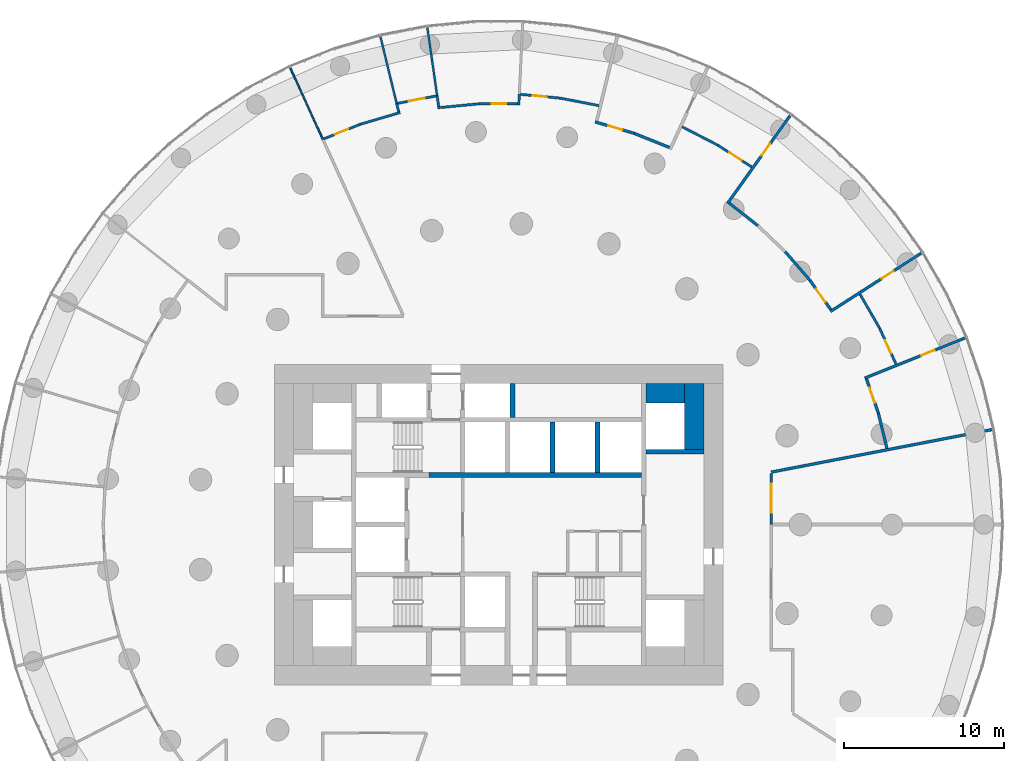
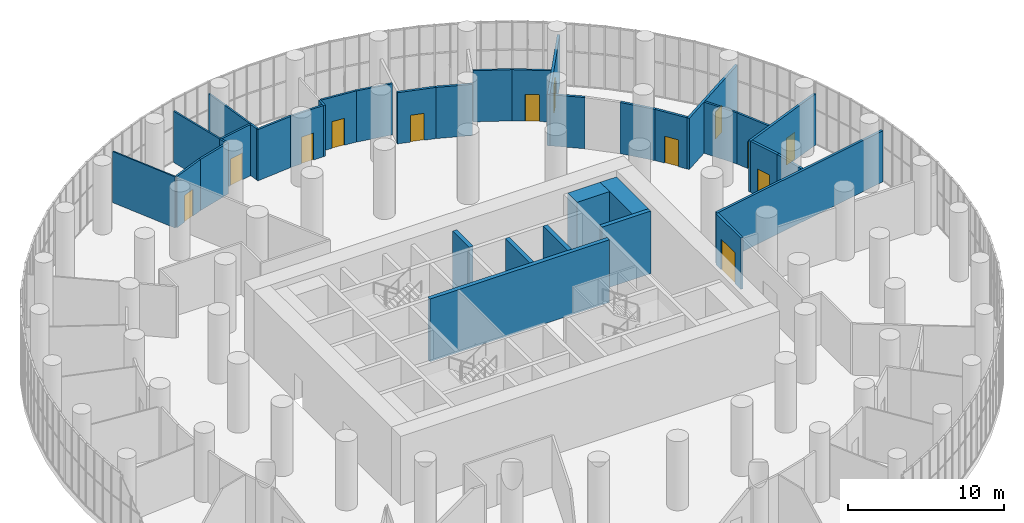
# One storey, part 24 of 27: 36 walls, 13 doors, 13 openings.
"""IFC4 building model written with IfcOpenShell, lengths in metres."""

from ifc_helpers import new_model, si_unit, direction, frame, frame_2d, origin, place, context, subcontext, project, spatial, rectangle, extrude, material, layer, layer_set, type_object, element, fill, save


model = new_model("IFC4")

# Units and contexts
model_context = context("Model", 3, precision=1e-05, world=origin(), true_north=direction((0.0, 1.0)))
body_context = subcontext(model_context, "Body", "Model", "MODEL_VIEW")
ifc_project = project(units=[si_unit("LENGTHUNIT", "METRE"), si_unit("AREAUNIT", "SQUARE_METRE"), si_unit("VOLUMEUNIT", "CUBIC_METRE"), si_unit("PLANEANGLEUNIT", "RADIAN"), si_unit("MASSUNIT", "GRAM", prefix="KILO")], contexts=[model_context])

# Site, building, storey
site_placement = place(None, origin())
site = spatial("IfcSite", under=ifc_project, at=site_placement, CompositionType="ELEMENT")
building_placement = place(site_placement, origin())
building = spatial("IfcBuilding", under=site, at=building_placement, Name="Tracery Tower", CompositionType="ELEMENT")
storey_placement = place(building_placement, frame((0.0, 0.0, 114.60009765625)))
storey = spatial("IfcBuildingStorey", under=building, at=storey_placement, Name="L29", CompositionType="ELEMENT", Elevation=114.60009765625)

# Wall, opening, door
ifc_material_1 = material(Name="Plasterboard on steel studs", Category="steel")
ifc_layer_1 = layer(ifc_material_1, 0.175048828125)
ifc_layer_set_1 = layer_set([ifc_layer_1], Name="Compartment partition 175")
wall_type_1 = type_object("IfcWallType", Name="Compartment partition 175", PredefinedType="PARTITIONING", material=ifc_layer_set_1)
wall_1_placement = place(storey_placement, frame((6.007568359375, 25.134521484375, 0.0), z_axis=(0.0, 0.0, 1.0), x_axis=(0.959475355364, -0.281792552155, 0.0)))
wall_1 = element("IfcWall", 1, at=wall_1_placement, inside=storey, type_object=wall_type_1, Name="Compartment partition 175", PredefinedType="PARTITIONING", context=body_context, shape_type="SweptSolid", body=[
    extrude(rectangle(XDim=2.54638671875, YDim=0.175048828125, at=frame_2d((1.273193359375, 0.0))), origin(), (0.0, 0.0, 1.0), 4.0),
])
opening_1_placement = place(wall_1_placement, frame((0.866943359375, 0.0, 0.0)))
opening_1 = element("IfcOpeningElement", 2, at=opening_1_placement, cuts=wall_1, Name="Opening SB-L29-10", PredefinedType="OPENING", context=body_context, shape_type="SweptSolid", body=[
    extrude(rectangle(XDim=0.89990234375, YDim=2.10009765625, at=frame_2d((0.449951171875, 1.050048828125))), frame((0.0, 0.08740234375, 0.0), z_axis=(0.0, -1.0, 0.0), x_axis=(1.0, 0.0, 0.0)), (0.0, 0.0, 1.0), 0.175048828125),
])
ifc_material_2 = material(Name="Steel fire door", Category="steel")
door_type_1 = type_object("IfcDoorType", Name="Store door 900", OperationType="NOTDEFINED", PredefinedType="DOOR", material=ifc_material_2)
door_1_placement = place(opening_1_placement, origin())
door_1 = element("IfcDoor", 3, at=door_1_placement, inside=storey, type_object=door_type_1, Name="Store door 900", OperationType="SINGLE_SWING_RIGHT", OverallHeight=2.10009765625, OverallWidth=0.89990234375, PredefinedType="DOOR", context=body_context, shape_type="SweptSolid", body=[
    extrude(rectangle(XDim=0.89990234375, YDim=2.10009765625, at=frame_2d((0.449951171875, 1.050048828125))), frame((0.0, 0.02490234375, 0.0), z_axis=(0.0, -1.0, 0.0), x_axis=(1.0, 0.0, 0.0)), (0.0, 0.0, 1.0), 0.050048828125),
])
fill(opening_1, door_1)

# Walls
wall_2_placement = place(storey_placement, frame((10.65234375, 23.53564453125, 0.0), z_axis=(0.0, 0.0, 1.0), x_axis=(-0.928377260399, 0.371639156137, 0.0)))
element("IfcWall", 4, at=wall_2_placement, inside=storey, type_object=wall_type_1, Name="Compartment partition 175", PredefinedType="PARTITIONING", context=body_context, shape_type="SweptSolid", body=[
    extrude(rectangle(XDim=2.37158203125, YDim=0.175048828125, at=frame_2d((1.185791015625, 0.0))), origin(), (0.0, 0.0, 1.0), 4.0),
])
wall_3_placement = place(storey_placement, frame((16.16650390625, 18.656982421875, 0.0), z_axis=(0.0, 0.0, 1.0), x_axis=(-0.786033588145, 0.618183790072, 0.0)))
element("IfcWall", 5, at=wall_3_placement, inside=storey, type_object=wall_type_1, Name="Compartment partition 175", PredefinedType="PARTITIONING", context=body_context, shape_type="SweptSolid", body=[
    extrude(rectangle(XDim=2.26171875, YDim=0.175048828125, at=frame_2d((1.130859375, 0.0))), origin(), (0.0, 0.0, 1.0), 4.0),
])

# Wall, opening, door
wall_4_placement = place(storey_placement, frame((17.0, 3.1875, 0.0), z_axis=(0.0, 0.0, 1.0), x_axis=(0.0, -1.0, 0.0)))
wall_4 = element("IfcWall", 6, at=wall_4_placement, inside=storey, type_object=wall_type_1, Name="Compartment partition 175", PredefinedType="PARTITIONING", context=body_context, shape_type="SweptSolid", body=[
    extrude(rectangle(XDim=3.1875, YDim=0.175048828125, at=frame_2d((1.59375, 0.0))), origin(), (0.0, 0.0, 1.0), 4.0),
])
opening_2_placement = place(wall_4_placement, frame((0.649169921875, 0.0, 0.0)))
opening_2 = element("IfcOpeningElement", 7, at=opening_2_placement, cuts=wall_4, Name="Opening SB-L29-01", PredefinedType="OPENING", context=body_context, shape_type="SweptSolid", body=[
    extrude(rectangle(XDim=1.800048828125, YDim=2.39990234375, at=frame_2d((0.89990234375, 1.199951171875))), frame((0.0, 0.08740234375, 0.0), z_axis=(0.0, -1.0, 0.0), x_axis=(1.0, 0.0, 0.0)), (0.0, 0.0, 1.0), 0.175048828125),
])
ifc_material_3 = material(Name="Glazed aluminium door", Category="aluminium")
door_type_2 = type_object("IfcDoorType", Name="Hall double door 1800", OperationType="DOUBLE_DOOR_SINGLE_SWING", PredefinedType="DOOR", material=ifc_material_3)
door_2_placement = place(opening_2_placement, origin())
door_2 = element("IfcDoor", 8, at=door_2_placement, inside=storey, type_object=door_type_2, Name="Hall double door 1800", OperationType="DOUBLE_DOOR_SINGLE_SWING", OverallHeight=2.39990234375, OverallWidth=1.800048828125, PredefinedType="DOOR", context=body_context, shape_type="SweptSolid", body=[
    extrude(rectangle(XDim=1.800048828125, YDim=2.39990234375, at=frame_2d((0.89990234375, 1.199951171875))), frame((0.0, 0.02490234375, 0.0), z_axis=(0.0, -1.0, 0.0), x_axis=(1.0, 0.0, 0.0)), (0.0, 0.0, 1.0), 0.050048828125),
])
fill(opening_2, door_2)

wall_5_placement = place(storey_placement, frame((14.26904296875, 20.0380859375, 0.0), z_axis=(0.0, 0.0, 1.0), x_axis=(0.580039185879, 0.814588572744, 0.0)))
wall_5 = element("IfcWall", 9, at=wall_5_placement, inside=storey, type_object=wall_type_1, Name="Compartment partition 175", PredefinedType="PARTITIONING", context=body_context, shape_type="SweptSolid", body=[
    extrude(rectangle(XDim=6.744873046875, YDim=0.175048828125, at=frame_2d((3.37255859375, 0.0))), origin(), (0.0, 0.0, 1.0), 4.0),
])
opening_3_placement = place(wall_5_placement, frame((3.69287109375, 0.0, 0.0)))
opening_3 = element("IfcOpeningElement", 10, at=opening_3_placement, cuts=wall_5, Name="Opening SB-L29-07", PredefinedType="OPENING", context=body_context, shape_type="SweptSolid", body=[
    extrude(rectangle(XDim=0.89990234375, YDim=2.10009765625, at=frame_2d((0.449951171875, 1.050048828125))), frame((0.0, 0.08740234375, 0.0), z_axis=(0.0, -1.0, 0.0), x_axis=(1.0, 0.0, 0.0)), (0.0, 0.0, 1.0), 0.175048828125),
])
door_3_placement = place(opening_3_placement, origin())
door_3 = element("IfcDoor", 11, at=door_3_placement, inside=storey, type_object=door_type_1, Name="Store door 900", OperationType="SINGLE_SWING_RIGHT", OverallHeight=2.10009765625, OverallWidth=0.89990234375, PredefinedType="DOOR", context=body_context, shape_type="SweptSolid", body=[
    extrude(rectangle(XDim=0.89990234375, YDim=2.10009765625, at=frame_2d((0.449951171875, 1.050048828125))), frame((0.0, 0.02490234375, 0.0), z_axis=(0.0, -1.0, 0.0), x_axis=(1.0, 0.0, 0.0)), (0.0, 0.0, 1.0), 0.050048828125),
])
fill(opening_3, door_3)

# Wall
wall_6_placement = place(storey_placement, frame((19.4052734375, 15.260498046875, 0.0), z_axis=(0.0, 0.0, 1.0), x_axis=(-0.654906799916, 0.755709655505, 0.0)))
element("IfcWall", 12, at=wall_6_placement, inside=storey, type_object=wall_type_1, Name="Compartment partition 175", PredefinedType="PARTITIONING", context=body_context, shape_type="SweptSolid", body=[
    extrude(rectangle(XDim=2.349365234375, YDim=0.175048828125, at=frame_2d((1.1748046875, 0.0))), origin(), (0.0, 0.0, 1.0), 4.0),
])

# Wall, opening, door
wall_7_placement = place(storey_placement, frame((19.4052734375, 15.260498046875, 0.0), z_axis=(0.0, 0.0, 1.0), x_axis=(0.579971361842, -0.814636863543, 0.0)))
wall_7 = element("IfcWall", 13, at=wall_7_placement, inside=storey, type_object=wall_type_1, Name="Compartment partition 175", PredefinedType="PARTITIONING", context=body_context, shape_type="SweptSolid", body=[
    extrude(rectangle(XDim=2.26171875, YDim=0.175048828125, at=frame_2d((1.130859375, 0.0))), origin(), (0.0, 0.0, 1.0), 4.0),
])
opening_4_placement = place(wall_7_placement, frame((0.674560546875, 0.0, 0.0)))
opening_4 = element("IfcOpeningElement", 14, at=opening_4_placement, cuts=wall_7, Name="Opening SB-L29-04", PredefinedType="OPENING", context=body_context, shape_type="SweptSolid", body=[
    extrude(rectangle(XDim=1.0, YDim=2.10009765625, at=frame_2d((0.5, 1.050048828125))), frame((0.0, 0.08740234375, 0.0), z_axis=(0.0, -1.0, 0.0), x_axis=(1.0, 0.0, 0.0)), (0.0, 0.0, 1.0), 0.175048828125),
])
ifc_material_4 = material(Name="Steel fire door", Category="steel")
door_type_3 = type_object("IfcDoorType", Name="Kitchen door 1000", OperationType="NOTDEFINED", PredefinedType="DOOR", material=ifc_material_4)
door_4_placement = place(opening_4_placement, origin())
door_4 = element("IfcDoor", 15, at=door_4_placement, inside=storey, type_object=door_type_3, Name="Kitchen door 1000", OperationType="SINGLE_SWING_RIGHT", OverallHeight=2.10009765625, OverallWidth=1.0, PredefinedType="DOOR", context=body_context, shape_type="SweptSolid", body=[
    extrude(rectangle(XDim=1.0, YDim=2.10009765625, at=frame_2d((0.5, 1.050048828125))), frame((0.0, 0.02490234375, 0.0), z_axis=(0.0, -1.0, 0.0), x_axis=(1.0, 0.0, 0.0)), (0.0, 0.0, 1.0), 0.050048828125),
])
fill(opening_4, door_4)

wall_8_placement = place(storey_placement, frame((22.947021484375, 9.092529296875, 0.0), z_axis=(0.0, 0.0, 1.0), x_axis=(0.327151342236, -0.944971956871, 0.0)))
wall_8 = element("IfcWall", 16, at=wall_8_placement, inside=storey, type_object=wall_type_1, Name="Compartment partition 175", PredefinedType="PARTITIONING", context=body_context, shape_type="SweptSolid", body=[
    extrude(rectangle(XDim=2.261962890625, YDim=0.175048828125, at=frame_2d((1.130859375, 0.0))), origin(), (0.0, 0.0, 1.0), 4.0),
])
opening_5_placement = place(wall_8_placement, frame((0.587158203125, 0.0, 0.0)))
opening_5 = element("IfcOpeningElement", 17, at=opening_5_placement, cuts=wall_8, Name="Opening SB-L29-02", PredefinedType="OPENING", context=body_context, shape_type="SweptSolid", body=[
    extrude(rectangle(XDim=1.0, YDim=2.10009765625, at=frame_2d((0.5, 1.050048828125))), frame((0.0, 0.08740234375, 0.0), z_axis=(0.0, -1.0, 0.0), x_axis=(1.0, 0.0, 0.0)), (0.0, 0.0, 1.0), 0.175048828125),
])
ifc_material_5 = material(Name="Timber door leaf", Category="wood")
door_type_4 = type_object("IfcDoorType", Name="Public room door 1000", OperationType="NOTDEFINED", PredefinedType="DOOR", material=ifc_material_5)
door_5_placement = place(opening_5_placement, origin())
door_5 = element("IfcDoor", 18, at=door_5_placement, inside=storey, type_object=door_type_4, Name="Public room door 1000", OperationType="SINGLE_SWING_RIGHT", OverallHeight=2.10009765625, OverallWidth=1.0, PredefinedType="DOOR", context=body_context, shape_type="SweptSolid", body=[
    extrude(rectangle(XDim=1.0, YDim=2.10009765625, at=frame_2d((0.5, 1.050048828125))), frame((0.0, 0.02490234375, 0.0), z_axis=(0.0, -1.0, 0.0), x_axis=(1.0, 0.0, 0.0)), (0.0, 0.0, 1.0), 0.050048828125),
])
fill(opening_5, door_5)

# Wall
wall_9_placement = place(storey_placement, frame((24.219482421875, 4.75927734375, 0.0), z_axis=(0.0, 0.0, 1.0), x_axis=(-0.235664969732, 0.971834359364, 0.0)))
element("IfcWall", 19, at=wall_9_placement, inside=storey, type_object=wall_type_1, Name="Compartment partition 175", PredefinedType="PARTITIONING", context=body_context, shape_type="SweptSolid", body=[
    extrude(rectangle(XDim=2.259521484375, YDim=0.175048828125, at=frame_2d((1.1298828125, 0.0))), origin(), (0.0, 0.0, 1.0), 4.0),
])

# Wall, opening, door
wall_10_placement = place(storey_placement, frame((26.36865234375, 16.946044921875, 0.0), z_axis=(0.0, 0.0, 1.0), x_axis=(-0.841249029271, -0.540647825068, 0.0)))
wall_10 = element("IfcWall", 20, at=wall_10_placement, inside=storey, type_object=wall_type_1, Name="Compartment partition 175", PredefinedType="PARTITIONING", context=body_context, shape_type="SweptSolid", body=[
    extrude(rectangle(XDim=6.7451171875, YDim=0.175048828125, at=frame_2d((3.37255859375, 0.0))), origin(), (0.0, 0.0, 1.0), 4.0),
])
opening_6_placement = place(wall_10_placement, frame((2.052490234375, 0.0, 0.0)))
opening_6 = element("IfcOpeningElement", 21, at=opening_6_placement, cuts=wall_10, Name="Opening SB-L29-06", PredefinedType="OPENING", context=body_context, shape_type="SweptSolid", body=[
    extrude(rectangle(XDim=0.89990234375, YDim=2.10009765625, at=frame_2d((0.449951171875, 1.050048828125))), frame((0.0, 0.08740234375, 0.0), z_axis=(0.0, -1.0, 0.0), x_axis=(1.0, 0.0, 0.0)), (0.0, 0.0, 1.0), 0.175048828125),
])
door_6_placement = place(opening_6_placement, origin())
door_6 = element("IfcDoor", 22, at=door_6_placement, inside=storey, type_object=door_type_1, Name="Store door 900", OperationType="SINGLE_SWING_LEFT", OverallHeight=2.10009765625, OverallWidth=0.89990234375, PredefinedType="DOOR", context=body_context, shape_type="SweptSolid", body=[
    extrude(rectangle(XDim=0.89990234375, YDim=2.10009765625, at=frame_2d((0.449951171875, 1.050048828125))), frame((0.0, 0.02490234375, 0.0), z_axis=(0.0, -1.0, 0.0), x_axis=(1.0, 0.0, 0.0)), (0.0, 0.0, 1.0), 0.050048828125),
])
fill(opening_6, door_6)

wall_11_placement = place(storey_placement, frame((29.09912109375, 11.6494140625, 0.0), z_axis=(0.0, 0.0, 1.0), x_axis=(-0.928366812746, -0.371665253949, 0.0)))
wall_11 = element("IfcWall", 23, at=wall_11_placement, inside=storey, type_object=wall_type_1, Name="Compartment partition 175", PredefinedType="PARTITIONING", context=body_context, shape_type="SweptSolid", body=[
    extrude(rectangle(XDim=6.744873046875, YDim=0.175048828125, at=frame_2d((3.37255859375, 0.0))), origin(), (0.0, 0.0, 1.0), 4.0),
])
opening_7_placement = place(wall_11_placement, frame((2.052490234375, 0.0, 0.0)))
opening_7 = element("IfcOpeningElement", 24, at=opening_7_placement, cuts=wall_11, Name="Opening SB-L29-05", PredefinedType="OPENING", context=body_context, shape_type="SweptSolid", body=[
    extrude(rectangle(XDim=0.89990234375, YDim=2.10009765625, at=frame_2d((0.449951171875, 1.050048828125))), frame((0.0, 0.08740234375, 0.0), z_axis=(0.0, -1.0, 0.0), x_axis=(1.0, 0.0, 0.0)), (0.0, 0.0, 1.0), 0.175048828125),
])
door_7_placement = place(opening_7_placement, origin())
door_7 = element("IfcDoor", 25, at=door_7_placement, inside=storey, type_object=door_type_1, Name="Store door 900", OperationType="SINGLE_SWING_LEFT", OverallHeight=2.10009765625, OverallWidth=0.89990234375, PredefinedType="DOOR", context=body_context, shape_type="SweptSolid", body=[
    extrude(rectangle(XDim=0.89990234375, YDim=2.10009765625, at=frame_2d((0.449951171875, 1.050048828125))), frame((0.0, 0.02490234375, 0.0), z_axis=(0.0, -1.0, 0.0), x_axis=(1.0, 0.0, 0.0)), (0.0, 0.0, 1.0), 0.050048828125),
])
fill(opening_7, door_7)

# Walls
wall_12_placement = place(storey_placement, frame((30.778076171875, 5.931884765625, 0.0), z_axis=(0.0, 0.0, 1.0), x_axis=(-0.981931784058, -0.189235227845, 0.0)))
element("IfcWall", 26, at=wall_12_placement, inside=storey, type_object=wall_type_1, Name="Compartment partition 175", PredefinedType="PARTITIONING", context=body_context, shape_type="SweptSolid", body=[
    extrude(rectangle(XDim=14.031494140625, YDim=0.175048828125, at=frame_2d((7.015625, 0.0))), origin(), (0.0, 0.0, 1.0), 4.0),
])
ifc_material_6 = material(Name="Concrete C60/75", Category="concrete")
ifc_layer_2 = layer(ifc_material_6, 1.199951171875)
ifc_layer_set_2 = layer_set([ifc_layer_2], Name="Core strip wall 1200 C60")
wall_type_2 = type_object("IfcWallType", Name="Core strip wall 1200 C60", PredefinedType="SOLIDWALL", material=ifc_layer_set_2)
wall_13_placement = place(storey_placement, frame((12.199951171875, 4.699951171875, 0.0), z_axis=(0.0, 0.0, 1.0), x_axis=(0.0, 1.0, 0.0)))
element("IfcWall", 27, at=wall_13_placement, inside=storey, type_object=wall_type_2, Name="L29 wing strip +1 4.55", PredefinedType="SOLIDWALL", context=body_context, shape_type="SweptSolid", body=[
    extrude(rectangle(XDim=4.10009765625, YDim=1.199951171875, at=frame_2d((2.050048828125, 0.0))), origin(), (0.0, 0.0, 1.0), 4.89990234375),
])
wall_14_placement = place(storey_placement, frame((9.199951171875, 8.199951171875, 0.0), z_axis=(0.0, 0.0, 1.0), x_axis=(1.0, 0.0, 0.0)))
element("IfcWall", 28, at=wall_14_placement, inside=storey, type_object=wall_type_2, Name="L29 wing corner +1 +8.2", PredefinedType="SOLIDWALL", context=body_context, shape_type="SweptSolid", body=[
    extrude(rectangle(XDim=2.400146484375, YDim=1.199951171875, at=frame_2d((1.2001953125, 0.0))), origin(), (0.0, 0.0, 1.0), 4.89990234375),
])

# Wall, opening, door
ifc_material_7 = material(Name="Plasterboard on steel studs", Category="steel")
ifc_layer_3 = layer(ifc_material_7, 0.14990234375)
ifc_layer_set_3 = layer_set([ifc_layer_3], Name="Corridor partition 150")
wall_type_3 = type_object("IfcWallType", Name="Corridor partition 150", PredefinedType="PARTITIONING", material=ifc_layer_set_3)
wall_15_placement = place(storey_placement, frame((-10.913330078125, 24.077392578125, 0.0), z_axis=(0.0, 0.0, 1.0), x_axis=(0.928366285294, 0.371666571445, 0.0)))
wall_15 = element("IfcWall", 29, at=wall_15_placement, inside=storey, type_object=wall_type_3, Name="Corridor partition 150", PredefinedType="PARTITIONING", context=body_context, shape_type="SweptSolid", body=[
    extrude(rectangle(XDim=2.44091796875, YDim=0.14990234375, at=frame_2d((1.220458984375, 0.0))), origin(), (0.0, 0.0, 1.0), 4.0),
])
opening_8_placement = place(wall_15_placement, frame((0.73291015625, 0.0, 0.0)))
opening_8 = element("IfcOpeningElement", 30, at=opening_8_placement, cuts=wall_15, Name="Opening SB-L29-14", PredefinedType="OPENING", context=body_context, shape_type="SweptSolid", body=[
    extrude(rectangle(XDim=0.89990234375, YDim=2.10009765625, at=frame_2d((0.449951171875, 1.050048828125))), frame((0.0, 0.074951171875, 0.0), z_axis=(0.0, -1.0, 0.0), x_axis=(1.0, 0.0, 0.0)), (0.0, 0.0, 1.0), 0.14990234375),
])
door_8_placement = place(opening_8_placement, origin())
door_8 = element("IfcDoor", 31, at=door_8_placement, inside=storey, type_object=door_type_1, Name="Store door 900", OperationType="SINGLE_SWING_RIGHT", OverallHeight=2.10009765625, OverallWidth=0.89990234375, PredefinedType="DOOR", context=body_context, shape_type="SweptSolid", body=[
    extrude(rectangle(XDim=0.89990234375, YDim=2.10009765625, at=frame_2d((0.449951171875, 1.050048828125))), frame((0.0, 0.02490234375, 0.0), z_axis=(0.0, -1.0, 0.0), x_axis=(1.0, 0.0, 0.0)), (0.0, 0.0, 1.0), 0.050048828125),
])
fill(opening_8, door_8)

# Walls
wall_16_placement = place(storey_placement, frame((-6.374755859375, 26.27734375, 0.0), z_axis=(0.0, 0.0, 1.0), x_axis=(0.235533543779, -0.971866220091, 0.0)))
element("IfcWall", 32, at=wall_16_placement, inside=storey, type_object=wall_type_3, Name="Corridor partition 150", PredefinedType="PARTITIONING", context=body_context, shape_type="SweptSolid", body=[
    extrude(rectangle(XDim=0.525634765625, YDim=0.14990234375, at=frame_2d((0.2626953125, 0.0))), origin(), (0.0, 0.0, 1.0), 4.0),
])
wall_17_placement = place(storey_placement, frame((-6.1611328125, 25.714599609375, 0.0), z_axis=(0.0, 0.0, 1.0), x_axis=(-0.959492937384, -0.28173268023, 0.0)))
element("IfcWall", 33, at=wall_17_placement, inside=storey, type_object=wall_type_3, Name="Corridor partition 150", PredefinedType="PARTITIONING", context=body_context, shape_type="SweptSolid", body=[
    extrude(rectangle(XDim=2.591064453125, YDim=0.14990234375, at=frame_2d((1.29541015625, 0.0))), origin(), (0.0, 0.0, 1.0), 4.0),
])

# Wall, opening, door
wall_18_placement = place(storey_placement, frame((-6.301025390625, 26.29150390625, 0.0), z_axis=(0.0, 0.0, 1.0), x_axis=(0.981932344741, 0.189232318463, 0.0)))
wall_18 = element("IfcWall", 34, at=wall_18_placement, inside=storey, type_object=wall_type_3, Name="Corridor partition 150", PredefinedType="PARTITIONING", context=body_context, shape_type="SweptSolid", body=[
    extrude(rectangle(XDim=2.4228515625, YDim=0.14990234375, at=frame_2d((1.21142578125, 0.0))), origin(), (0.0, 0.0, 1.0), 4.0),
])
opening_9_placement = place(wall_18_placement, frame((0.71142578125, 0.0, 0.0)))
opening_9 = element("IfcOpeningElement", 35, at=opening_9_placement, cuts=wall_18, Name="Opening SB-L29-13", PredefinedType="OPENING", context=body_context, shape_type="SweptSolid", body=[
    extrude(rectangle(XDim=1.0, YDim=2.10009765625, at=frame_2d((0.5, 1.050048828125))), frame((0.0, 0.074951171875, 0.0), z_axis=(0.0, -1.0, 0.0), x_axis=(1.0, 0.0, 0.0)), (0.0, 0.0, 1.0), 0.14990234375),
])
ifc_material_8 = material(Name="Timber door leaf", Category="wood")
door_type_5 = type_object("IfcDoorType", Name="Accessible toilet door 1000", OperationType="NOTDEFINED", PredefinedType="DOOR", material=ifc_material_8)
door_9_placement = place(opening_9_placement, origin())
door_9 = element("IfcDoor", 36, at=door_9_placement, inside=storey, type_object=door_type_5, Name="Accessible toilet door 1000", OperationType="SINGLE_SWING_RIGHT", OverallHeight=2.10009765625, OverallWidth=1.0, PredefinedType="DOOR", context=body_context, shape_type="SweptSolid", body=[
    extrude(rectangle(XDim=1.0, YDim=2.10009765625, at=frame_2d((0.5, 1.050048828125))), frame((0.0, 0.02490234375, 0.0), z_axis=(0.0, -1.0, 0.0), x_axis=(1.0, 0.0, 0.0)), (0.0, 0.0, 1.0), 0.050048828125),
])
fill(opening_9, door_9)

# Walls
wall_19_placement = place(storey_placement, frame((-3.84814453125, 26.764404296875, 0.0), z_axis=(0.0, 0.0, 1.0), x_axis=(0.142280765431, -0.989826340218, 0.0)))
element("IfcWall", 37, at=wall_19_placement, inside=storey, type_object=wall_type_3, Name="Corridor partition 150", PredefinedType="PARTITIONING", context=body_context, shape_type="SweptSolid", body=[
    extrude(rectangle(XDim=0.676025390625, YDim=0.14990234375, at=frame_2d((0.337890625, 0.0))), origin(), (0.0, 0.0, 1.0), 4.0),
])
wall_20_placement = place(storey_placement, frame((-1.2509765625, 26.2587890625, 0.0), z_axis=(0.0, 0.0, 1.0), x_axis=(-0.995473727837, -0.095037135829, 0.0)))
element("IfcWall", 38, at=wall_20_placement, inside=storey, type_object=wall_type_3, Name="Corridor partition 150", PredefinedType="PARTITIONING", context=body_context, shape_type="SweptSolid", body=[
    extrude(rectangle(XDim=2.57666015625, YDim=0.14990234375, at=frame_2d((1.288330078125, 0.0))), origin(), (0.0, 0.0, 1.0), 4.0),
])

# Wall, opening, door
wall_21_placement = place(storey_placement, frame((-1.2509765625, 26.2587890625, 0.0), z_axis=(0.0, 0.0, 1.0), x_axis=(1.0, 0.0, 0.0)))
wall_21 = element("IfcWall", 39, at=wall_21_placement, inside=storey, type_object=wall_type_3, Name="Corridor partition 150", PredefinedType="PARTITIONING", context=body_context, shape_type="SweptSolid", body=[
    extrude(rectangle(XDim=2.4267578125, YDim=0.14990234375, at=frame_2d((1.21337890625, 0.0))), origin(), (0.0, 0.0, 1.0), 4.0),
])
opening_10_placement = place(wall_21_placement, frame((0.80078125, 0.0, 0.0)))
opening_10 = element("IfcOpeningElement", 40, at=opening_10_placement, cuts=wall_21, Name="Opening SB-L29-12", PredefinedType="OPENING", context=body_context, shape_type="SweptSolid", body=[
    extrude(rectangle(XDim=0.89990234375, YDim=2.10009765625, at=frame_2d((0.449951171875, 1.050048828125))), frame((0.0, 0.074951171875, 0.0), z_axis=(0.0, -1.0, 0.0), x_axis=(1.0, 0.0, 0.0)), (0.0, 0.0, 1.0), 0.14990234375),
])
ifc_material_9 = material(Name="Timber door leaf", Category="wood")
door_type_6 = type_object("IfcDoorType", Name="Toilet door 900", OperationType="NOTDEFINED", PredefinedType="DOOR", material=ifc_material_9)
door_10_placement = place(opening_10_placement, origin())
door_10 = element("IfcDoor", 41, at=door_10_placement, inside=storey, type_object=door_type_6, Name="Toilet door 900", OperationType="SINGLE_SWING_RIGHT", OverallHeight=2.10009765625, OverallWidth=0.89990234375, PredefinedType="DOOR", context=body_context, shape_type="SweptSolid", body=[
    extrude(rectangle(XDim=0.89990234375, YDim=2.10009765625, at=frame_2d((0.449951171875, 1.050048828125))), frame((0.0, 0.02490234375, 0.0), z_axis=(0.0, -1.0, 0.0), x_axis=(1.0, 0.0, 0.0)), (0.0, 0.0, 1.0), 0.050048828125),
])
fill(opening_10, door_10)

# Wall
wall_22_placement = place(storey_placement, frame((1.279296875, 26.85888671875, 0.0), z_axis=(0.0, 0.0, 1.0), x_axis=(-0.047341937476, -0.998878741868, 0.0)))
element("IfcWall", 42, at=wall_22_placement, inside=storey, type_object=wall_type_3, Name="Corridor partition 150", PredefinedType="PARTITIONING", context=body_context, shape_type="SweptSolid", body=[
    extrude(rectangle(XDim=0.675537109375, YDim=0.14990234375, at=frame_2d((0.337890625, 0.0))), origin(), (0.0, 0.0, 1.0), 4.0),
])

# Wall, opening, door
wall_23_placement = place(storey_placement, frame((1.35400390625, 26.851806640625, 0.0), z_axis=(0.0, 0.0, 1.0), x_axis=(0.995473803063, -0.095036347869, 0.0)))
wall_23 = element("IfcWall", 43, at=wall_23_placement, inside=storey, type_object=wall_type_3, Name="Corridor partition 150", PredefinedType="PARTITIONING", context=body_context, shape_type="SweptSolid", body=[
    extrude(rectangle(XDim=2.484130859375, YDim=0.14990234375, at=frame_2d((1.2421875, 0.0))), origin(), (0.0, 0.0, 1.0), 4.0),
])
opening_11_placement = place(wall_23_placement, frame((0.75439453125, 0.0, 0.0)))
opening_11 = element("IfcOpeningElement", 44, at=opening_11_placement, cuts=wall_23, Name="Opening SB-L29-11", PredefinedType="OPENING", context=body_context, shape_type="SweptSolid", body=[
    extrude(rectangle(XDim=0.89990234375, YDim=2.10009765625, at=frame_2d((0.449951171875, 1.050048828125))), frame((0.0, 0.074951171875, 0.0), z_axis=(0.0, -1.0, 0.0), x_axis=(1.0, 0.0, 0.0)), (0.0, 0.0, 1.0), 0.14990234375),
])
door_11_placement = place(opening_11_placement, origin())
door_11 = element("IfcDoor", 45, at=door_11_placement, inside=storey, type_object=door_type_6, Name="Toilet door 900", OperationType="SINGLE_SWING_RIGHT", OverallHeight=2.10009765625, OverallWidth=0.89990234375, PredefinedType="DOOR", context=body_context, shape_type="SweptSolid", body=[
    extrude(rectangle(XDim=0.89990234375, YDim=2.10009765625, at=frame_2d((0.449951171875, 1.050048828125))), frame((0.0, 0.02490234375, 0.0), z_axis=(0.0, -1.0, 0.0), x_axis=(1.0, 0.0, 0.0)), (0.0, 0.0, 1.0), 0.050048828125),
])
fill(opening_11, door_11)

# Walls
wall_24_placement = place(storey_placement, frame((6.251708984375, 26.148193359375, 0.0), z_axis=(0.0, 0.0, 1.0), x_axis=(-0.981914660197, 0.189324061043, 0.0)))
element("IfcWall", 46, at=wall_24_placement, inside=storey, type_object=wall_type_3, Name="Corridor partition 150", PredefinedType="PARTITIONING", context=body_context, shape_type="SweptSolid", body=[
    extrude(rectangle(XDim=2.469482421875, YDim=0.14990234375, at=frame_2d((1.23486328125, 0.0))), origin(), (0.0, 0.0, 1.0), 4.0),
])
wall_25_placement = place(storey_placement, frame((13.669921875, 23.677001953125, 0.0), z_axis=(0.0, 0.0, 1.0), x_axis=(-0.8888594416, 0.458179978916, 0.0)))
element("IfcWall", 47, at=wall_25_placement, inside=storey, type_object=wall_type_3, Name="Corridor partition 150", PredefinedType="PARTITIONING", context=body_context, shape_type="SweptSolid", body=[
    extrude(rectangle(XDim=2.512451171875, YDim=0.14990234375, at=frame_2d((1.25634765625, 0.0))), origin(), (0.0, 0.0, 1.0), 4.0),
])

# Wall, opening, door
wall_26_placement = place(storey_placement, frame((13.669921875, 23.677001953125, 0.0), z_axis=(0.0, 0.0, 1.0), x_axis=(0.841232144756, -0.540674096503, 0.0)))
wall_26 = element("IfcWall", 48, at=wall_26_placement, inside=storey, type_object=wall_type_3, Name="Corridor partition 150", PredefinedType="PARTITIONING", context=body_context, shape_type="SweptSolid", body=[
    extrude(rectangle(XDim=2.512451171875, YDim=0.14990234375, at=frame_2d((1.25634765625, 0.0))), origin(), (0.0, 0.0, 1.0), 4.0),
])
opening_12_placement = place(wall_26_placement, frame((0.850830078125, 0.0, 0.0)))
opening_12 = element("IfcOpeningElement", 49, at=opening_12_placement, cuts=wall_26, Name="Opening SB-L29-09", PredefinedType="OPENING", context=body_context, shape_type="SweptSolid", body=[
    extrude(rectangle(XDim=0.89990234375, YDim=2.10009765625, at=frame_2d((0.449951171875, 1.050048828125))), frame((0.0, 0.074951171875, 0.0), z_axis=(0.0, -1.0, 0.0), x_axis=(1.0, 0.0, 0.0)), (0.0, 0.0, 1.0), 0.14990234375),
])
door_12_placement = place(opening_12_placement, origin())
door_12 = element("IfcDoor", 50, at=door_12_placement, inside=storey, type_object=door_type_1, Name="Store door 900", OperationType="SINGLE_SWING_RIGHT", OverallHeight=2.10009765625, OverallWidth=0.89990234375, PredefinedType="DOOR", context=body_context, shape_type="SweptSolid", body=[
    extrude(rectangle(XDim=0.89990234375, YDim=2.10009765625, at=frame_2d((0.449951171875, 1.050048828125))), frame((0.0, 0.02490234375, 0.0), z_axis=(0.0, -1.0, 0.0), x_axis=(1.0, 0.0, 0.0)), (0.0, 0.0, 1.0), 0.050048828125),
])
fill(opening_12, door_12)

# Wall
wall_27_placement = place(storey_placement, frame((23.7666015625, 12.252685546875, 0.0), z_axis=(0.0, 0.0, 1.0), x_axis=(-0.499989298045, 0.866031582473, 0.0)))
element("IfcWall", 51, at=wall_27_placement, inside=storey, type_object=wall_type_3, Name="Corridor partition 150", PredefinedType="PARTITIONING", context=body_context, shape_type="SweptSolid", body=[
    extrude(rectangle(XDim=2.455078125, YDim=0.14990234375, at=frame_2d((1.2275390625, 0.0))), origin(), (0.0, 0.0, 1.0), 4.0),
])

# Wall, opening, door
wall_28_placement = place(storey_placement, frame((23.7666015625, 12.252685546875, 0.0), z_axis=(0.0, 0.0, 1.0), x_axis=(0.415435448594, -0.909622662455, 0.0)))
wall_28 = element("IfcWall", 52, at=wall_28_placement, inside=storey, type_object=wall_type_3, Name="Corridor partition 150", PredefinedType="PARTITIONING", context=body_context, shape_type="SweptSolid", body=[
    extrude(rectangle(XDim=2.455322265625, YDim=0.14990234375, at=frame_2d((1.2275390625, 0.0))), origin(), (0.0, 0.0, 1.0), 4.0),
])
opening_13_placement = place(wall_28_placement, frame((0.822265625, 0.0, 0.0)))
opening_13 = element("IfcOpeningElement", 53, at=opening_13_placement, cuts=wall_28, Name="Opening SB-L29-03", PredefinedType="OPENING", context=body_context, shape_type="SweptSolid", body=[
    extrude(rectangle(XDim=0.89990234375, YDim=2.10009765625, at=frame_2d((0.449951171875, 1.050048828125))), frame((0.0, 0.074951171875, 0.0), z_axis=(0.0, -1.0, 0.0), x_axis=(1.0, 0.0, 0.0)), (0.0, 0.0, 1.0), 0.14990234375),
])
door_13_placement = place(opening_13_placement, origin())
door_13 = element("IfcDoor", 54, at=door_13_placement, inside=storey, type_object=door_type_1, Name="Store door 900", OperationType="SINGLE_SWING_RIGHT", OverallHeight=2.10009765625, OverallWidth=0.89990234375, PredefinedType="DOOR", context=body_context, shape_type="SweptSolid", body=[
    extrude(rectangle(XDim=0.89990234375, YDim=2.10009765625, at=frame_2d((0.449951171875, 1.050048828125))), frame((0.0, 0.02490234375, 0.0), z_axis=(0.0, -1.0, 0.0), x_axis=(1.0, 0.0, 0.0)), (0.0, 0.0, 1.0), 0.050048828125),
])
fill(opening_13, door_13)

# Walls
ifc_material_10 = material(Name="Concrete C60/75", Category="concrete")
ifc_layer_4 = layer(ifc_material_10, 0.300048828125)
ifc_layer_set_4 = layer_set([ifc_layer_4], Name="Shaft wall 300 C60")
wall_type_4 = type_object("IfcWallType", Name="Shaft wall 300 C60", PredefinedType="SOLIDWALL", material=ifc_layer_set_4)
for number, where, z_axis, x_axis, name in (
    (55, (3.35009765625, 3.25, 0.0), (0.0, 0.0, 1.0), (0.0, 1.0, 0.0), "L29 HR sep 2"),
    (56, (6.14990234375, 3.25, 0.0), (0.0, 0.0, 1.0), (0.0, 1.0, 0.0), "L29 HR sep 3"),
):
    element("IfcWall", number, at=place(storey_placement, frame(where, z_axis=z_axis, x_axis=x_axis)), inside=storey, type_object=wall_type_4, Name=name, PredefinedType="SOLIDWALL", context=body_context, shape_type="SweptSolid", body=[
        extrude(rectangle(XDim=3.14990234375, YDim=0.300048828125, at=frame_2d((1.574951171875, 0.0))), origin(), (0.0, 0.0, 1.0), 4.89990234375),
    ])
wall_29_placement = place(storey_placement, frame((0.85009765625, 6.699951171875, 0.0), z_axis=(0.0, 0.0, 1.0), x_axis=(0.0, 1.0, 0.0)))
element("IfcWall", 57, at=wall_29_placement, inside=storey, type_object=wall_type_4, Name="L29 LR sep 0.85", PredefinedType="SOLIDWALL", context=body_context, shape_type="SweptSolid", body=[
    extrude(rectangle(XDim=2.10009765625, YDim=0.300048828125, at=frame_2d((1.050048828125, 0.0))), origin(), (0.0, 0.0, 1.0), 4.89990234375),
])
wall_30_placement = place(storey_placement, frame((9.199951171875, 4.550048828125, 0.0), z_axis=(0.0, 0.0, 1.0), x_axis=(1.0, 0.0, 0.0)))
element("IfcWall", 58, at=wall_30_placement, inside=storey, type_object=wall_type_4, Name="L29 wing shaft wall +1 +4.55", PredefinedType="SOLIDWALL", context=body_context, shape_type="SweptSolid", body=[
    extrude(rectangle(XDim=3.60009765625, YDim=0.300048828125, at=frame_2d((1.800048828125, 0.0))), origin(), (0.0, 0.0, 1.0), 4.89990234375),
])
ifc_material_11 = material(Name="Concrete C60/75", Category="concrete")
ifc_layer_5 = layer(ifc_material_11, 0.300048828125)
ifc_layer_set_5 = layer_set([ifc_layer_5], Name="Stair wall 300 C60")
wall_type_5 = type_object("IfcWallType", Name="Stair wall 300 C60", PredefinedType="SOLIDWALL", material=ifc_layer_set_5)
wall_31_placement = place(storey_placement, frame((-4.35009765625, 3.10009765625, 0.0), z_axis=(0.0, 0.0, 1.0), x_axis=(1.0, 0.0, 0.0)))
element("IfcWall", 59, at=wall_31_placement, inside=storey, type_object=wall_type_5, Name="L29 row N", PredefinedType="SOLIDWALL", context=body_context, shape_type="SweptSolid", body=[
    extrude(rectangle(XDim=13.25, YDim=0.300048828125, at=frame_2d((6.625, 0.0))), origin(), (0.0, 0.0, 1.0), 4.89990234375),
])
ifc_material_12 = material(Name="Plasterboard on steel studs", Category="steel")
ifc_layer_6 = layer(ifc_material_12, 0.10009765625)
ifc_layer_set_6 = layer_set([ifc_layer_6], Name="Stud partition 100")
wall_type_6 = type_object("IfcWallType", Name="Stud partition 100", PredefinedType="PARTITIONING", material=ifc_layer_set_6)
wall_32_placement = place(storey_placement, frame((-13.02099609375, 28.511962890625, 0.0), z_axis=(0.0, 0.0, 1.0), x_axis=(0.415403363215, -0.909637315544, 0.0)))
element("IfcWall", 60, at=wall_32_placement, inside=storey, type_object=wall_type_6, Name="Stud partition 100", PredefinedType="PARTITIONING", context=body_context, shape_type="SweptSolid", body=[
    extrude(rectangle(XDim=4.90576171875, YDim=0.10009765625, at=frame_2d((2.452880859375, 0.0))), origin(), (0.0, 0.0, 1.0), 4.0),
])
ifc_material_13 = material(Name="Plasterboard on steel studs", Category="steel")
ifc_layer_7 = layer(ifc_material_13, 0.125)
ifc_layer_set_7 = layer_set([ifc_layer_7], Name="Wet area partition 125")
wall_type_7 = type_object("IfcWallType", Name="Wet area partition 125", PredefinedType="PARTITIONING", material=ifc_layer_set_7)
for number, where, z_axis, x_axis, name in (
    (61, (-7.3896484375, 30.460693359375, 0.0), (0.0, 0.0, 1.0), (0.235763969247, -0.971810347138, 0.0), "Wet area partition 125"),
    (62, (-4.460693359375, 31.025390625, 0.0), (0.0, 0.0, 1.0), (0.142294692294, -0.989824338226, 0.0), "Wet area partition 125"),
):
    element("IfcWall", number, at=place(storey_placement, frame(where, z_axis=z_axis, x_axis=x_axis)), inside=storey, type_object=wall_type_7, Name=name, PredefinedType="PARTITIONING", context=body_context, shape_type="SweptSolid", body=[
        extrude(rectangle(XDim=4.3046875, YDim=0.125, at=frame_2d((2.15234375, 0.0))), origin(), (0.0, 0.0, 1.0), 4.0),
    ])

save(model, "model.ifc")
